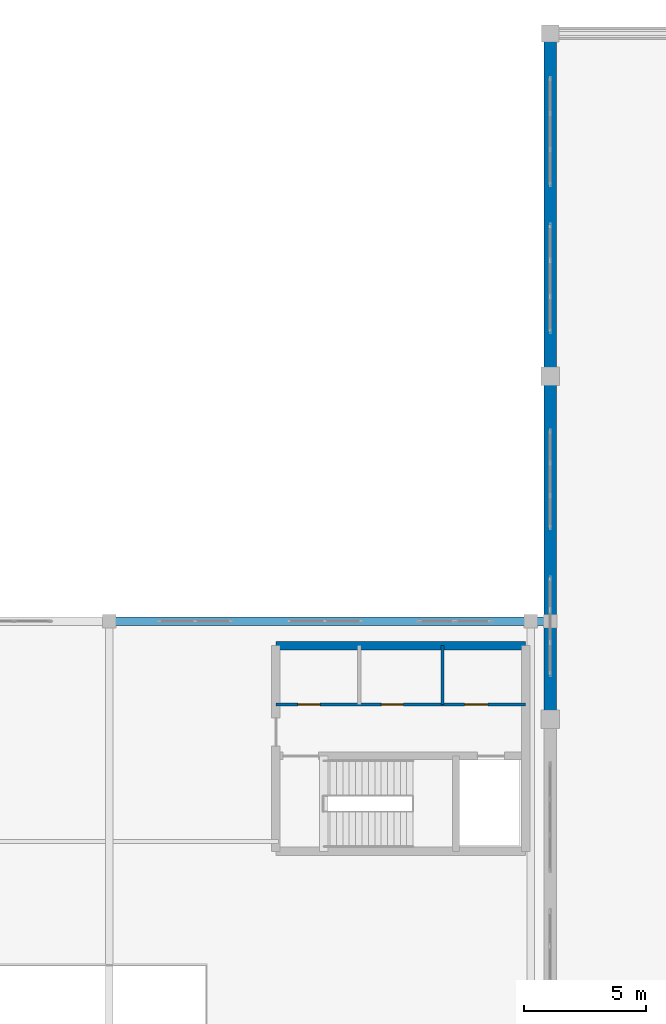
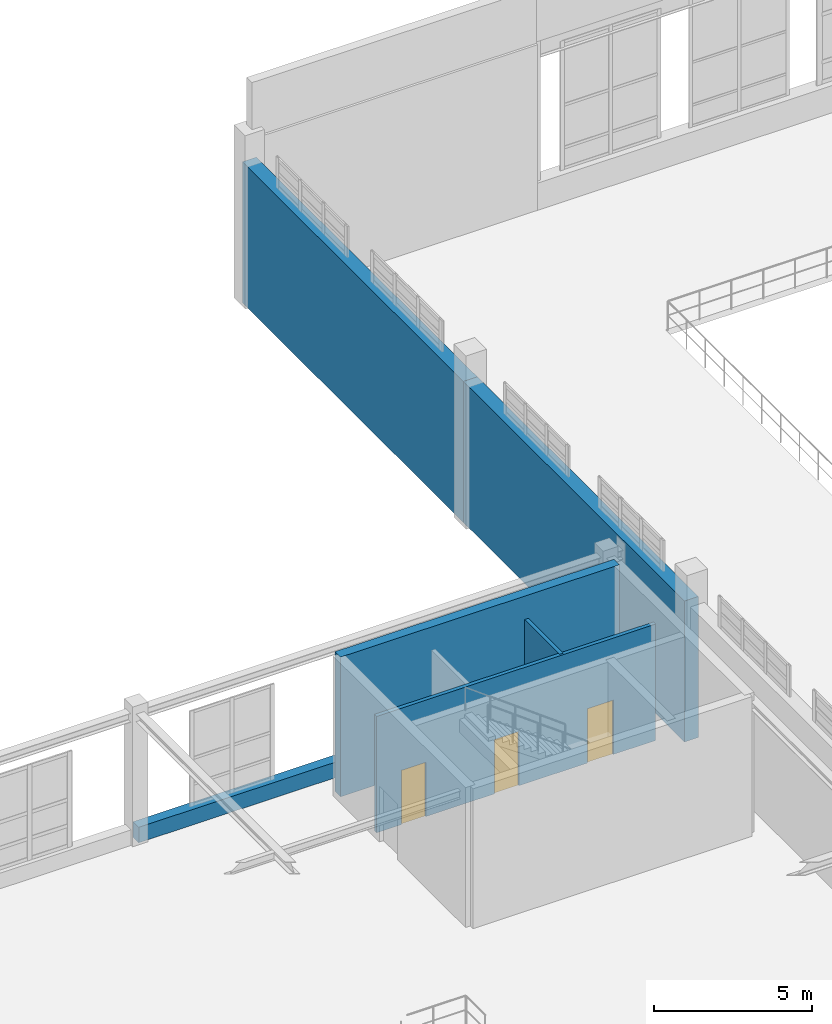
# One storey, part 180 of 197: 6 walls, 3 doors, 3 openings.
"""IFC4 building model written with IfcOpenShell, lengths in metres."""

from ifc_helpers import new_model, si_unit, derived_unit, direction, frame, frame_2d, origin, place, context, subcontext, project, spatial, rectangle, extrude, material, layer, layer_set, type_object, element, fill, save


model = new_model("IFC4")

# Units and contexts
model_context = context("Model", 3, precision=1e-05, world=origin(), true_north=direction((0.0, 1.0)))
body_context = subcontext(model_context, "Body", "Model", "MODEL_VIEW")
ifc_project = project(units=[si_unit("LENGTHUNIT", "METRE"), si_unit("AREAUNIT", "SQUARE_METRE"), si_unit("VOLUMEUNIT", "CUBIC_METRE"), si_unit("PLANEANGLEUNIT", "RADIAN"), si_unit("MASSUNIT", "GRAM", prefix="KILO"), derived_unit("THERMALTRANSMITTANCEUNIT", [(si_unit("POWERUNIT", "WATT"), 1), (si_unit("LENGTHUNIT", "METRE"), -2), (si_unit("THERMODYNAMICTEMPERATUREUNIT", "KELVIN"), -1)])], contexts=[model_context])

# Site, building, storey
site_placement = place(None, origin())
site = spatial("IfcSite", under=ifc_project, at=site_placement, CompositionType="ELEMENT")
building_placement = place(site_placement, origin())
building = spatial("IfcBuilding", under=site, at=building_placement, Name="Almenara Railside Exhibition Hall", CompositionType="ELEMENT")
storey_placement = place(building_placement, frame((0.0, 0.0, 5.39990234375)))
storey = spatial("IfcBuildingStorey", under=building, at=storey_placement, Name="L01", CompositionType="ELEMENT", Elevation=5.39990234375)

# Walls
ifc_material_1 = material(Name="Concrete C35/45", Category="concrete")
ifc_layer_1 = layer(ifc_material_1, 0.35009765625, Name="Concrete C35/45")
ifc_layer_set_1 = layer_set([ifc_layer_1], Name="Concrete C35/45")
wall_type_1 = type_object("IfcWallType", Name="Core Coupled Shear Wall 350mm C35/45", PredefinedType="SHEAR", material=ifc_layer_set_1)
wall_1_placement = place(storey_placement, frame((137.0, 107.0, 0.0), z_axis=(0.0, 0.0, 1.0), x_axis=(-1.0, 0.0, 0.0)))
element("IfcWall", 1, at=wall_1_placement, inside=storey, type_object=wall_type_1, Name="Interior wall 0227", PredefinedType="SHEAR", context=body_context, shape_type="SweptSolid", body=[
    extrude(rectangle(XDim=10.199951171875, YDim=0.35009765625, at=frame_2d((5.10009765625, 0.0))), origin(), (0.0, 0.0, 1.0), 5.400146484375),
])
ifc_material_2 = material(Name="Ochre-white lime-rendered masonry over Concrete C35/45", Category="masonry")
ifc_layer_2 = layer(ifc_material_2, 0.360107421875, Name="Ochre-white lime-rendered masonry over Concrete C35/45")
ifc_layer_set_2 = layer_set([ifc_layer_2], Name="Ochre-white lime-rendered masonry over Concrete C35/45")
wall_type_2 = type_object("IfcWallType", Name="Exterior Courtyard Galeria Wall 360mm C35/45", PredefinedType="SOLIDWALL", material=ifc_layer_set_2)
wall_2_placement = place(storey_placement, frame((138.0, 108.0, 0.0), z_axis=(0.0, 0.0, 1.0), x_axis=(-1.0, 0.0, 0.0)))
element("IfcWall", 2, at=wall_2_placement, inside=storey, type_object=wall_type_2, Name="Exterior wall 0157", PredefinedType="SOLIDWALL", context=body_context, shape_type="SweptSolid", body=[
    extrude(rectangle(XDim=18.0, YDim=0.360107421875, at=frame_2d((9.0, 0.0))), origin(), (0.0, 0.0, 1.0), 0.60009765625),
])
ifc_layer_3 = layer(ifc_material_2, 0.510009765625, Name="Ochre-white lime-rendered masonry over Concrete C35/45")
ifc_layer_set_3 = layer_set([ifc_layer_3], Name="Ochre-white lime-rendered masonry over Concrete C35/45")
wall_type_3 = type_object("IfcWallType", Name="Exterior East Hall Thermal Wall 510mm C35/45", PredefinedType="SOLIDWALL", material=ifc_layer_set_3)
for number, where, z_axis, x_axis, name in (
    (3, (138.0, 118.0, 0.0), (0.0, 0.0, 1.0), (0.0, -1.0, 0.0), "Exterior wall 0089"),
    (4, (138.0, 132.0, 0.0), (0.0, 0.0, 1.0), (0.0, -1.0, 0.0), "Exterior wall 0093"),
):
    element("IfcWall", number, at=place(storey_placement, frame(where, z_axis=z_axis, x_axis=x_axis)), inside=storey, type_object=wall_type_3, Name=name, PredefinedType="SOLIDWALL", context=body_context, shape_type="SweptSolid", body=[
        extrude(rectangle(XDim=14.0, YDim=0.510009765625, at=frame_2d((7.0, 0.0))), origin(), (0.0, 0.0, 1.0), 5.4501953125),
    ])

# Wall, openings, doors
ifc_material_3 = material(Name="Moisture-resistant tiled masonry partition", Category="masonry")
ifc_layer_4 = layer(ifc_material_3, 0.139892578125, Name="Moisture-resistant tiled masonry partition")
ifc_layer_set_4 = layer_set([ifc_layer_4], Name="Moisture-resistant tiled masonry partition")
wall_type_4 = type_object("IfcWallType", Name="Sanitary Wet-Wall Partition 140mm", PredefinedType="PARTITIONING", material=ifc_layer_set_4)
wall_3_placement = place(storey_placement, frame((126.800048828125, 104.60009765625, 0.0), z_axis=(0.0, 0.0, 1.0), x_axis=(1.0, 0.0, 0.0)))
wall_3 = element("IfcWall", 5, at=wall_3_placement, inside=storey, type_object=wall_type_4, Name="Interior wall 0232", PredefinedType="PARTITIONING", context=body_context, shape_type="SweptSolid", body=[
    extrude(rectangle(XDim=10.199951171875, YDim=0.139892578125, at=frame_2d((5.10009765625, 0.0))), origin(), (0.0, 0.0, 1.0), 4.5),
])
opening_1_placement = place(wall_3_placement, frame((0.89990234375, 0.0, 0.0)))
opening_1 = element("IfcOpeningElement", 6, at=opening_1_placement, cuts=wall_3, Name="Opening ID-09", PredefinedType="OPENING", context=body_context, shape_type="SweptSolid", body=[
    extrude(rectangle(XDim=0.89990234375, YDim=2.10009765625, at=frame_2d((0.449951171875, 1.050048828125))), frame((0.0, 0.079833984375, 0.0), z_axis=(0.0, -1.0, 0.0), x_axis=(1.0, 0.0, 0.0)), (0.0, 0.0, 1.0), 0.159912109375),
])
opening_2_placement = place(wall_3_placement, frame((4.300048828125, 0.0, 0.0)))
opening_2 = element("IfcOpeningElement", 7, at=opening_2_placement, cuts=wall_3, Name="Opening ID-09", PredefinedType="OPENING", context=body_context, shape_type="SweptSolid", body=[
    extrude(rectangle(XDim=0.89990234375, YDim=2.10009765625, at=frame_2d((0.449951171875, 1.050048828125))), frame((0.0, 0.079833984375, 0.0), z_axis=(0.0, -1.0, 0.0), x_axis=(1.0, 0.0, 0.0)), (0.0, 0.0, 1.0), 0.159912109375),
])
opening_3_placement = place(wall_3_placement, frame((7.699951171875, 0.0, 0.0)))
opening_3 = element("IfcOpeningElement", 8, at=opening_3_placement, cuts=wall_3, Name="Opening ID-095", PredefinedType="OPENING", context=body_context, shape_type="SweptSolid", body=[
    extrude(rectangle(XDim=0.949951171875, YDim=2.10009765625, at=frame_2d((0.47509765625, 1.050048828125))), frame((0.0, 0.079833984375, 0.0), z_axis=(0.0, -1.0, 0.0), x_axis=(1.0, 0.0, 0.0)), (0.0, 0.0, 1.0), 0.159912109375),
])
ifc_material_4 = material(Name="Moisture-resistant hardwood door", Category="wood")
door_type_1 = type_object("IfcDoorType", Name="Accessible Toilet Door 950x2100", OperationType="NOTDEFINED", PredefinedType="DOOR", material=ifc_material_4)
door_1_placement = place(opening_3_placement, origin())
door_1 = element("IfcDoor", 9, at=door_1_placement, inside=storey, type_object=door_type_1, Name="Interior door ID-095-156", OperationType="SINGLE_SWING_RIGHT", OverallHeight=2.10009765625, OverallWidth=0.949951171875, PredefinedType="DOOR", context=body_context, shape_type="SweptSolid", body=[
    extrude(rectangle(XDim=0.949951171875, YDim=2.10009765625, at=frame_2d((0.47509765625, 1.050048828125))), frame((0.0, 0.02490234375, 0.0), z_axis=(0.0, -1.0, 0.0), x_axis=(1.0, 0.0, 0.0)), (0.0, 0.0, 1.0), 0.050048828125),
])
fill(opening_3, door_1)
door_type_2 = type_object("IfcDoorType", Name="Sanitary Lobby Single Door 900x2100", OperationType="NOTDEFINED", PredefinedType="DOOR", material=ifc_material_4)
door_2_placement = place(opening_1_placement, origin())
door_2 = element("IfcDoor", 10, at=door_2_placement, inside=storey, type_object=door_type_2, Name="Interior door ID-09-154", OperationType="SINGLE_SWING_RIGHT", OverallHeight=2.10009765625, OverallWidth=0.89990234375, PredefinedType="DOOR", context=body_context, shape_type="SweptSolid", body=[
    extrude(rectangle(XDim=0.89990234375, YDim=2.10009765625, at=frame_2d((0.449951171875, 1.050048828125))), frame((0.0, 0.02490234375, 0.0), z_axis=(0.0, -1.0, 0.0), x_axis=(1.0, 0.0, 0.0)), (0.0, 0.0, 1.0), 0.050048828125),
])
fill(opening_1, door_2)
door_3_placement = place(opening_2_placement, origin())
door_3 = element("IfcDoor", 11, at=door_3_placement, inside=storey, type_object=door_type_2, Name="Interior door ID-09-155", OperationType="SINGLE_SWING_LEFT", OverallHeight=2.10009765625, OverallWidth=0.89990234375, PredefinedType="DOOR", context=body_context, shape_type="SweptSolid", body=[
    extrude(rectangle(XDim=0.89990234375, YDim=2.10009765625, at=frame_2d((0.449951171875, 1.050048828125))), frame((0.0, 0.02490234375, 0.0), z_axis=(0.0, -1.0, 0.0), x_axis=(1.0, 0.0, 0.0)), (0.0, 0.0, 1.0), 0.050048828125),
])
fill(opening_2, door_3)

# Wall
wall_4_placement = place(storey_placement, frame((133.60009765625, 104.60009765625, 0.0), z_axis=(0.0, 0.0, 1.0), x_axis=(0.0, 1.0, 0.0)))
element("IfcWall", 12, at=wall_4_placement, inside=storey, type_object=wall_type_4, Name="Interior wall 0234", PredefinedType="PARTITIONING", context=body_context, shape_type="SweptSolid", body=[
    extrude(rectangle(XDim=2.39990234375, YDim=0.139892578125, at=frame_2d((1.199951171875, 0.0))), origin(), (0.0, 0.0, 1.0), 4.5),
])

save(model, "model.ifc")
